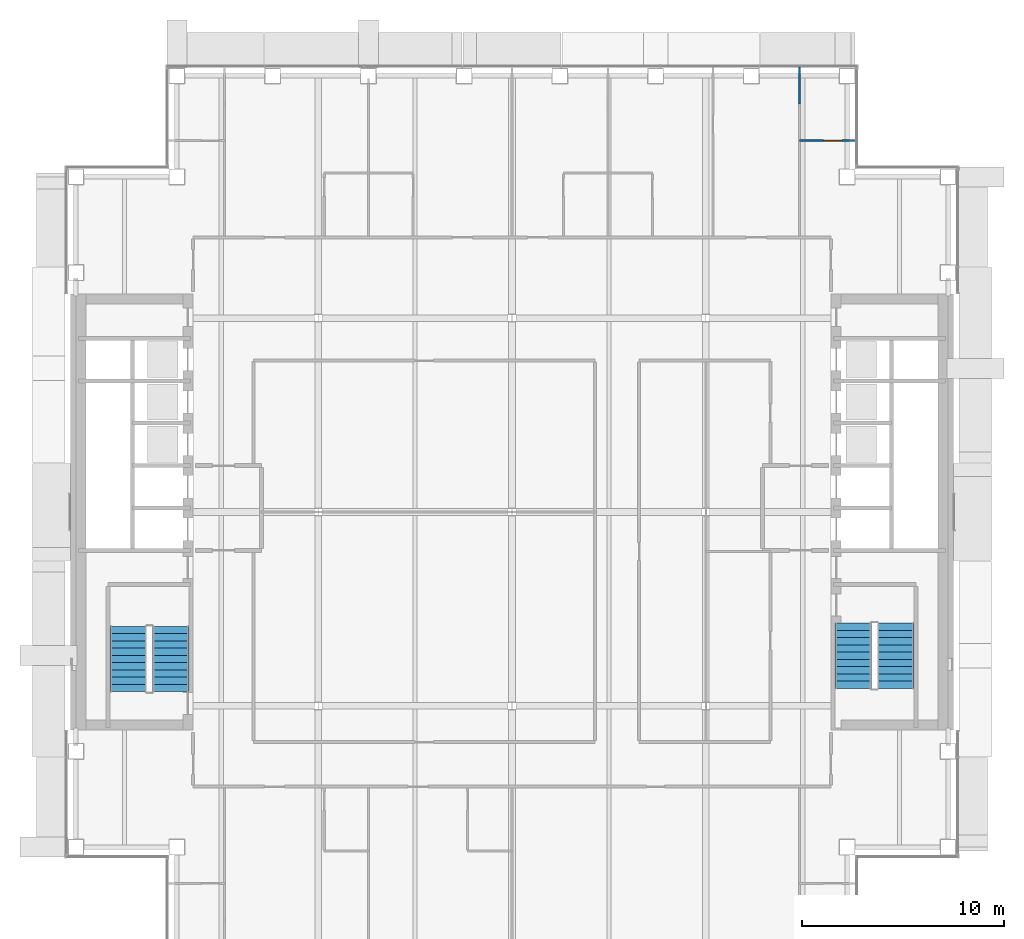
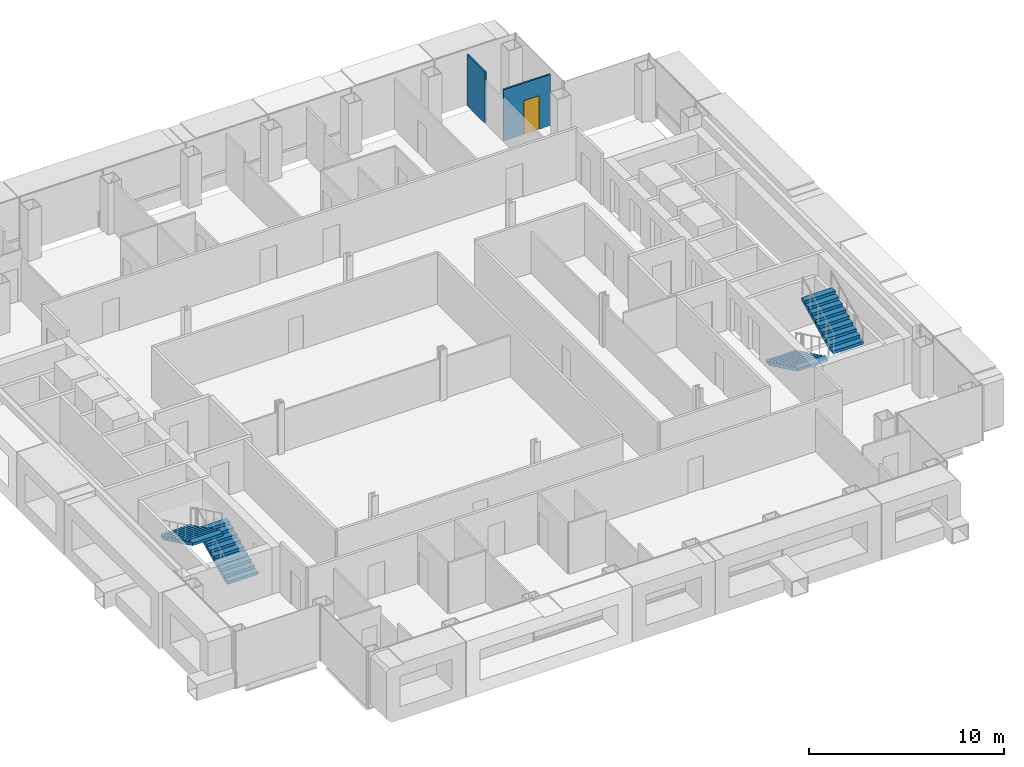
# One storey, part 15 of 21: 4 stair flights, 2 walls, 1 door, 1 opening, 2 elements without a shape of their own.
"""IFC4 building model written with IfcOpenShell, lengths in metres."""

from ifc_helpers import new_model, si_unit, direction, frame, frame_2d, origin, place, context, subcontext, project, spatial, polyline, rectangle, outline, extrude, material, layer, layer_set, type_object, element, fill, aggregate, save


model = new_model("IFC4")

# Units and contexts
model_context = context("Model", 3, precision=1e-05, world=origin(), true_north=direction((0.0, 1.0)))
body_context = subcontext(model_context, "Body", "Model", "MODEL_VIEW")
ifc_project = project(units=[si_unit("LENGTHUNIT", "METRE"), si_unit("AREAUNIT", "SQUARE_METRE"), si_unit("VOLUMEUNIT", "CUBIC_METRE"), si_unit("PLANEANGLEUNIT", "RADIAN"), si_unit("MASSUNIT", "GRAM", prefix="KILO")], contexts=[model_context])

# Site, building, storey
site_placement = place(None, origin())
site = spatial("IfcSite", under=ifc_project, at=site_placement, CompositionType="ELEMENT")
building_placement = place(site_placement, origin())
building = spatial("IfcBuilding", under=site, at=building_placement, Name="Cobrizo Arcos Hotel Tower", CompositionType="ELEMENT")
storey_placement = place(building_placement, frame((0.0, 0.0, 183.0)))
storey = spatial("IfcBuildingStorey", under=building, at=storey_placement, Name="L47", CompositionType="ELEMENT", Elevation=183.0)

# Wall, opening, door
ifc_material_1 = material(Name="Gypsum board partition")
ifc_layer = layer(ifc_material_1, 0.10009765625)
ifc_layer_set = layer_set([ifc_layer], Name="Partition EI 30 100")
wall_type = type_object("IfcWallType", Name="Partition EI 30 100", PredefinedType="PARTITIONING", material=ifc_layer_set)
wall_1_placement = place(storey_placement, frame((14.25, 18.39990234375, 0.0), z_axis=(0.0, 0.0, 1.0), x_axis=(1.0, 0.0, 0.0)))
wall_1 = element("IfcWall", 1, at=wall_1_placement, inside=storey, type_object=wall_type, Name="Partition 038", PredefinedType="PARTITIONING", context=body_context, shape_type="SweptSolid", body=[
    extrude(rectangle(XDim=2.780029296875, YDim=0.10009765625, at=frame_2d((1.39013671875, 0.0))), origin(), (0.0, 0.0, 1.0), 3.199951171875),
])
opening_placement = place(wall_1_placement, frame((1.18896484375, 0.0, 0.0)))
opening = element("IfcOpeningElement", 2, at=opening_placement, cuts=wall_1, Name="Opening ED-10", PredefinedType="OPENING", context=body_context, shape_type="SweptSolid", body=[
    extrude(rectangle(XDim=0.89990234375, YDim=2.10009765625, at=frame_2d((0.449951171875, 1.050048828125))), frame((0.0, 0.06201171875, 0.0), z_axis=(0.0, -1.0, 0.0), x_axis=(1.0, 0.0, 0.0)), (0.0, 0.0, 1.0), 0.1240234375),
])
ifc_material_2 = material(Name="Timber door leaf", Category="wood")
door_type = type_object("IfcDoorType", Name="En-suite door 900x2100", OperationType="SINGLE_SWING_LEFT", PredefinedType="DOOR", material=ifc_material_2)
door_placement = place(opening_placement, origin())
door = element("IfcDoor", 3, at=door_placement, inside=storey, type_object=door_type, Name="Door ED-10", OperationType="SINGLE_SWING_LEFT", OverallHeight=2.10009765625, OverallWidth=0.89990234375, PredefinedType="DOOR", context=body_context, shape_type="SweptSolid", body=[
    extrude(rectangle(XDim=0.89990234375, YDim=2.10009765625, at=frame_2d((0.449951171875, 1.050048828125))), frame((0.0, 0.02490234375, 0.0), z_axis=(0.0, -1.0, 0.0), x_axis=(1.0, 0.0, 0.0)), (0.0, 0.0, 1.0), 0.050048828125),
])
fill(opening, door)

# Wall
wall_2_placement = place(storey_placement, frame((14.25, 20.199462890625, 0.0), z_axis=(0.0, 0.0, 1.0), x_axis=(0.0, 1.0, 0.0)))
element("IfcWall", 4, at=wall_2_placement, inside=storey, type_object=wall_type, Name="Partition 082", PredefinedType="PARTITIONING", context=body_context, shape_type="SweptSolid", body=[
    extrude(rectangle(XDim=1.83056640625, YDim=0.10009765625, at=frame_2d((0.915283203125, 0.0))), origin(), (0.0, 0.0, 1.0), 3.199951171875),
])

# Stair, stair flights
ifc_material_3 = material(Name="Concrete f'c 40 MPa", Category="concrete")
stair_type = type_object("IfcStairType", Name="Exit stair", PredefinedType="HALF_TURN_STAIR", material=ifc_material_3)
stair_1_placement = place(storey_placement, origin())
stair_1 = element("IfcStair", 5, at=stair_1_placement, inside=storey, type_object=stair_type, Name="L47 Exit stair ST-W", PredefinedType="HALF_TURN_STAIR")
stair_flight_type = type_object("IfcStairFlightType", Name="Exit stair flight", PredefinedType="STRAIGHT", material=ifc_material_3)
stair_flight_1_placement = place(storey_placement, frame((-16.89990234375, -8.89990234375, 0.0), z_axis=(0.0, 0.0, 1.0), x_axis=(0.0, 1.0, 0.0)))
stair_flight_1 = element("IfcStairFlight", 6, at=stair_flight_1_placement, type_object=stair_flight_type, Name="ST-W flight 1", NumberOfRisers=10, NumberOfTreads=9, PredefinedType="STRAIGHT", RiserHeight=0.175, TreadLength=0.36, context=body_context, shape_type="SweptSolid", body=[
    extrude(outline(polyline([(0.0, 0.0), (0.0, 0.175048828125), (0.360107421875, 0.175048828125), (0.360107421875, 0.35009765625), (0.719970703125, 0.35009765625), (0.719970703125, 0.52490234375), (1.080078125, 0.52490234375), (1.080078125, 0.699951171875), (1.43994140625, 0.699951171875), (1.43994140625, 0.875), (1.800048828125, 0.875), (1.800048828125, 1.050048828125), (2.159912109375, 1.050048828125), (2.159912109375, 1.22509765625), (2.52001953125, 1.22509765625), (2.52001953125, 1.39990234375), (2.8798828125, 1.39990234375), (2.8798828125, 1.574951171875), (3.239990234375, 1.574951171875), (3.239990234375, 1.75), (3.239990234375, 1.408203125), (0.3427734375, 0.0), (0.0, 0.0)])), frame((0.0, 0.89990234375, 0.0), z_axis=(0.0, -1.0, 0.0), x_axis=(1.0, 0.0, 0.0)), (0.0, 0.0, 1.0), 1.800048828125),
])
stair_flight_2_placement = place(storey_placement, frame((-19.0, -5.659912109375, 1.75), z_axis=(0.0, 0.0, 1.0), x_axis=(0.0, -1.0, 0.0)))
stair_flight_2 = element("IfcStairFlight", 7, at=stair_flight_2_placement, type_object=stair_flight_type, Name="ST-W flight 2", NumberOfRisers=10, NumberOfTreads=9, PredefinedType="STRAIGHT", RiserHeight=0.175, TreadLength=0.36, context=body_context, shape_type="SweptSolid", body=[
    extrude(outline(polyline([(0.0, 0.0), (0.0, 0.175048828125), (0.360107421875, 0.175048828125), (0.360107421875, 0.35009765625), (0.719970703125, 0.35009765625), (0.719970703125, 0.52490234375), (1.080078125, 0.52490234375), (1.080078125, 0.699951171875), (1.43994140625, 0.699951171875), (1.43994140625, 0.875), (1.800048828125, 0.875), (1.800048828125, 1.050048828125), (2.159912109375, 1.050048828125), (2.159912109375, 1.22509765625), (2.52001953125, 1.22509765625), (2.52001953125, 1.39990234375), (2.8798828125, 1.39990234375), (2.8798828125, 1.574951171875), (3.239990234375, 1.574951171875), (3.239990234375, 1.75), (3.239990234375, 1.408203125), (0.3427734375, 0.0), (0.0, 0.0)])), frame((0.0, 0.89990234375, 0.0), z_axis=(0.0, -1.0, 0.0), x_axis=(1.0, 0.0, 0.0)), (0.0, 0.0, 1.0), 1.800048828125),
])
aggregate(stair_1, [stair_flight_1, stair_flight_2])

stair_2_placement = place(storey_placement, origin())
stair_2 = element("IfcStair", 8, at=stair_2_placement, inside=storey, type_object=stair_type, Name="L47 Exit stair ST-E", PredefinedType="HALF_TURN_STAIR")
stair_flight_3_placement = place(storey_placement, frame((16.89990234375, -5.5, 0.0), z_axis=(0.0, 0.0, 1.0), x_axis=(0.0, -1.0, 0.0)))
stair_flight_3 = element("IfcStairFlight", 9, at=stair_flight_3_placement, type_object=stair_flight_type, Name="ST-E flight 1", NumberOfRisers=10, NumberOfTreads=9, PredefinedType="STRAIGHT", RiserHeight=0.175, TreadLength=0.36, context=body_context, shape_type="SweptSolid", body=[
    extrude(outline(polyline([(0.0, 0.0), (0.0, 0.175048828125), (0.360107421875, 0.175048828125), (0.360107421875, 0.35009765625), (0.719970703125, 0.35009765625), (0.719970703125, 0.52490234375), (1.080078125, 0.52490234375), (1.080078125, 0.699951171875), (1.43994140625, 0.699951171875), (1.43994140625, 0.875), (1.800048828125, 0.875), (1.800048828125, 1.050048828125), (2.159912109375, 1.050048828125), (2.159912109375, 1.22509765625), (2.52001953125, 1.22509765625), (2.52001953125, 1.39990234375), (2.8798828125, 1.39990234375), (2.8798828125, 1.574951171875), (3.239990234375, 1.574951171875), (3.239990234375, 1.75), (3.239990234375, 1.408203125), (0.3427734375, 0.0), (0.0, 0.0)])), frame((0.0, 0.89990234375, 0.0), z_axis=(0.0, -1.0, 0.0), x_axis=(1.0, 0.0, 0.0)), (0.0, 0.0, 1.0), 1.800048828125),
])
stair_flight_4_placement = place(storey_placement, frame((19.0, -8.739990234375, 1.75), z_axis=(0.0, 0.0, 1.0), x_axis=(0.0, 1.0, 0.0)))
stair_flight_4 = element("IfcStairFlight", 10, at=stair_flight_4_placement, type_object=stair_flight_type, Name="ST-E flight 2", NumberOfRisers=10, NumberOfTreads=9, PredefinedType="STRAIGHT", RiserHeight=0.175, TreadLength=0.36, context=body_context, shape_type="SweptSolid", body=[
    extrude(outline(polyline([(0.0, 0.0), (0.0, 0.175048828125), (0.360107421875, 0.175048828125), (0.360107421875, 0.35009765625), (0.719970703125, 0.35009765625), (0.719970703125, 0.52490234375), (1.080078125, 0.52490234375), (1.080078125, 0.699951171875), (1.43994140625, 0.699951171875), (1.43994140625, 0.875), (1.800048828125, 0.875), (1.800048828125, 1.050048828125), (2.159912109375, 1.050048828125), (2.159912109375, 1.22509765625), (2.52001953125, 1.22509765625), (2.52001953125, 1.39990234375), (2.8798828125, 1.39990234375), (2.8798828125, 1.574951171875), (3.239990234375, 1.574951171875), (3.239990234375, 1.75), (3.239990234375, 1.408203125), (0.3427734375, 0.0), (0.0, 0.0)])), frame((0.0, 0.89990234375, 0.0), z_axis=(0.0, -1.0, 0.0), x_axis=(1.0, 0.0, 0.0)), (0.0, 0.0, 1.0), 1.800048828125),
])
aggregate(stair_2, [stair_flight_3, stair_flight_4])

save(model, "model.ifc")
